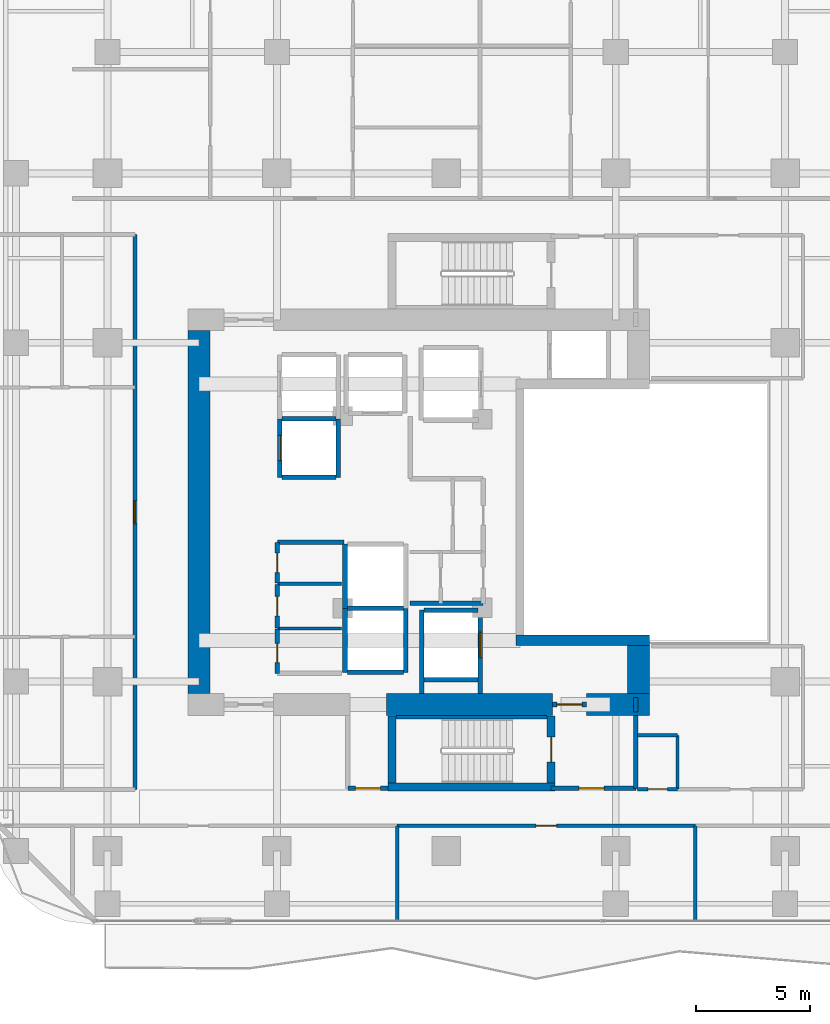
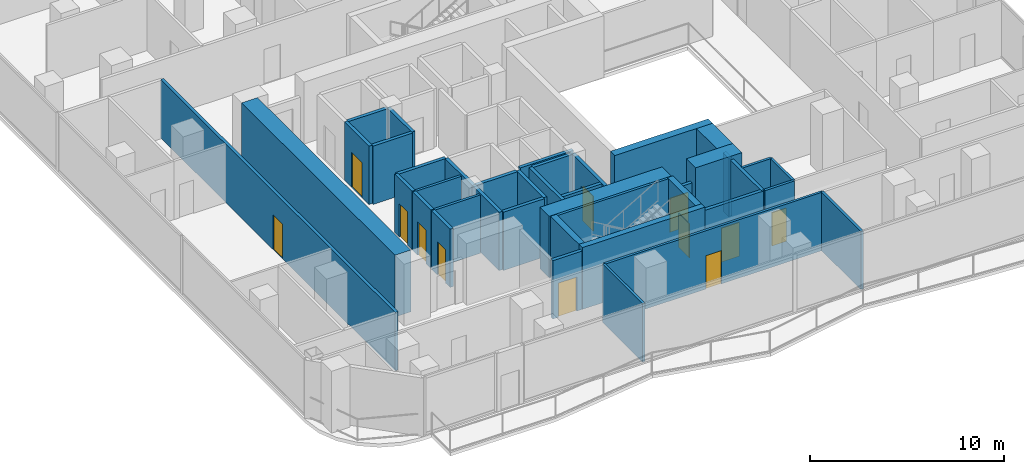
# One storey, part 20 of 27: 41 walls, 12 doors, 12 openings.
"""IFC4 building model written with IfcOpenShell, lengths in metres."""

from ifc_helpers import new_model, si_unit, direction, frame, frame_2d, origin, place, context, subcontext, project, spatial, rectangle, extrude, material, layer, layer_set, type_object, element, fill, save


model = new_model("IFC4")

# Units and contexts
model_context = context("Model", 3, precision=1e-05, world=origin(), true_north=direction((0.0, 1.0)))
body_context = subcontext(model_context, "Body", "Model", "MODEL_VIEW")
ifc_project = project(units=[si_unit("LENGTHUNIT", "METRE"), si_unit("AREAUNIT", "SQUARE_METRE"), si_unit("VOLUMEUNIT", "CUBIC_METRE"), si_unit("PLANEANGLEUNIT", "RADIAN"), si_unit("MASSUNIT", "GRAM", prefix="KILO")], contexts=[model_context])

# Site, building, storey
site_placement = place(None, origin())
site = spatial("IfcSite", under=ifc_project, at=site_placement, CompositionType="ELEMENT")
building_placement = place(site_placement, origin())
building = spatial("IfcBuilding", under=site, at=building_placement, Name="Khorvyn Point Tower", CompositionType="ELEMENT")
storey_placement = place(building_placement, frame((0.0, 0.0, 125.10009765625)))
storey = spatial("IfcBuildingStorey", under=building, at=storey_placement, Name="L31", CompositionType="ELEMENT", Elevation=125.10009765625)

# Wall, opening, door
ifc_material_1 = material(Name="Double acoustic gypsum on twin steel stud", Category="steel")
ifc_layer_1 = layer(ifc_material_1, 0.179931640625)
ifc_layer_set_1 = layer_set([ifc_layer_1], Name="Acoustic Double-Stud Apartment Demising Wall 180")
wall_type_1 = type_object("IfcWallType", Name="Acoustic Double-Stud Apartment Demising Wall 180", PredefinedType="PARTITIONING", material=ifc_layer_set_1)
wall_1_placement = place(storey_placement, frame((-13.60009765625, -12.1201171875, 0.0), z_axis=(0.0, 0.0, 1.0), x_axis=(0.0, 1.0, 0.0)))
wall_1 = element("IfcWall", 1, at=wall_1_placement, inside=storey, type_object=wall_type_1, Name="Wall", PredefinedType="PARTITIONING", context=body_context, shape_type="SweptSolid", body=[
    extrude(rectangle(XDim=24.240234375, YDim=0.179931640625, at=frame_2d((12.1201171875, 0.0))), origin(), (0.0, 0.0, 1.0), 3.679931640625),
])
opening_1_placement = place(wall_1_placement, frame((11.6201171875, 0.0, 0.0)))
opening_1 = element("IfcOpeningElement", 2, at=opening_1_placement, cuts=wall_1, Name="Opening ID-AP60", PredefinedType="OPENING", context=body_context, shape_type="SweptSolid", body=[
    extrude(rectangle(XDim=1.0, YDim=2.199951171875, at=frame_2d((0.5, 1.10009765625))), frame((0.0, 0.099853515625, 0.0), z_axis=(0.0, -1.0, 0.0), x_axis=(1.0, 0.0, 0.0)), (0.0, 0.0, 1.0), 0.199951171875),
])
ifc_material_2 = material(Name="Engineered hardwood fire-rated leaf", Category="wood")
door_type_1 = type_object("IfcDoorType", Name="Acoustic Solid-Core Timber Apartment Entrance Door 1000x2200", OperationType="NOTDEFINED", PredefinedType="DOOR", material=ifc_material_2)
door_1_placement = place(opening_1_placement, origin())
door_1 = element("IfcDoor", 3, at=door_1_placement, inside=storey, type_object=door_type_1, Name="Door", OperationType="SINGLE_SWING_RIGHT", OverallHeight=2.199951171875, OverallWidth=1.0, PredefinedType="DOOR", context=body_context, shape_type="SweptSolid", body=[
    extrude(rectangle(XDim=1.0, YDim=2.199951171875, at=frame_2d((0.5, 1.10009765625))), frame((0.0, 0.02490234375, 0.0), z_axis=(0.0, -1.0, 0.0), x_axis=(1.0, 0.0, 0.0)), (0.0, 0.0, 1.0), 0.050048828125),
])
fill(opening_1, door_1)

# Wall
ifc_material_3 = material(Name="Concrete C40/50", Category="concrete")
ifc_layer_2 = layer(ifc_material_3, 0.449951171875)
ifc_layer_set_2 = layer_set([ifc_layer_2], Name="Concrete C40/50 Core Shear Wall 450")
wall_type_2 = type_object("IfcWallType", Name="Concrete C40/50 Core Shear Wall 450", PredefinedType="SHEAR", material=ifc_layer_set_2)
wall_2_placement = place(storey_placement, frame((3.044921875, -5.60009765625, 0.0), z_axis=(0.0, 0.0, 1.0), x_axis=(1.0, 0.0, 0.0)))
element("IfcWall", 4, at=wall_2_placement, inside=storey, type_object=wall_type_2, Name="Wall", PredefinedType="SHEAR", context=body_context, shape_type="SweptSolid", body=[
    extrude(rectangle(XDim=5.830078125, YDim=0.449951171875, at=frame_2d((2.9150390625, 0.0))), origin(), (0.0, 0.0, 1.0), 3.89990234375),
])

# Wall, opening, door
ifc_layer_3 = layer(ifc_material_3, 0.199951171875)
ifc_layer_set_3 = layer_set([ifc_layer_3], Name="Concrete C40/50 Fire-Lobby Compartment Wall 200")
wall_type_3 = type_object("IfcWallType", Name="Concrete C40/50 Fire-Lobby Compartment Wall 200", PredefinedType="SOLIDWALL", material=ifc_layer_set_3)
wall_3_placement = place(storey_placement, frame((4.580078125, -12.06005859375, 0.0), z_axis=(0.0, 0.0, 1.0), x_axis=(1.0, 0.0, 0.0)))
wall_3 = element("IfcWall", 5, at=wall_3_placement, inside=storey, type_object=wall_type_3, Name="Wall", PredefinedType="SOLIDWALL", context=body_context, shape_type="SweptSolid", body=[
    extrude(rectangle(XDim=3.699951171875, YDim=0.199951171875, at=frame_2d((1.85009765625, 0.0))), origin(), (0.0, 0.0, 1.0), 3.679931640625),
])
opening_2_placement = place(wall_3_placement, frame((1.21240234375, 0.0, 0.0)))
opening_2 = element("IfcOpeningElement", 6, at=opening_2_placement, cuts=wall_3, Name="Opening ID-FL90", PredefinedType="OPENING", context=body_context, shape_type="SweptSolid", body=[
    extrude(rectangle(XDim=1.10009765625, YDim=2.14990234375, at=frame_2d((0.550048828125, 1.074951171875))), frame((0.0, 0.10986328125, 0.0), z_axis=(0.0, -1.0, 0.0), x_axis=(1.0, 0.0, 0.0)), (0.0, 0.0, 1.0), 0.219970703125),
])
ifc_material_4 = material(Name="Galvanised powder-coated steel", Category="steel")
door_type_2 = type_object("IfcDoorType", Name="Fire-Rated Steel Lobby and Stair Door 1100x2150", OperationType="NOTDEFINED", PredefinedType="DOOR", material=ifc_material_4)
door_2_placement = place(opening_2_placement, origin())
door_2 = element("IfcDoor", 7, at=door_2_placement, inside=storey, type_object=door_type_2, Name="Door", OperationType="SINGLE_SWING_LEFT", OverallHeight=2.14990234375, OverallWidth=1.10009765625, PredefinedType="DOOR", context=body_context, shape_type="SweptSolid", body=[
    extrude(rectangle(XDim=1.10009765625, YDim=2.14990234375, at=frame_2d((0.550048828125, 1.074951171875))), frame((0.0, 0.02490234375, 0.0), z_axis=(0.0, -1.0, 0.0), x_axis=(1.0, 0.0, 0.0)), (0.0, 0.0, 1.0), 0.050048828125),
])
fill(opening_2, door_2)

wall_4_placement = place(storey_placement, frame((4.64990234375, -8.39990234375, 0.0), z_axis=(0.0, 0.0, 1.0), x_axis=(1.0, 0.0, 0.0)))
wall_4 = element("IfcWall", 8, at=wall_4_placement, inside=storey, type_object=wall_type_3, Name="Wall", PredefinedType="SOLIDWALL", context=body_context, shape_type="SweptSolid", body=[
    extrude(rectangle(XDim=1.47021484375, YDim=0.199951171875, at=frame_2d((0.735107421875, 0.0))), origin(), (0.0, 0.0, 1.0), 2.719970703125),
])
opening_3_placement = place(wall_4_placement, frame((0.18505859375, 0.0, 0.0)))
opening_3 = element("IfcOpeningElement", 9, at=opening_3_placement, cuts=wall_4, Name="Opening ID-FL90", PredefinedType="OPENING", context=body_context, shape_type="SweptSolid", body=[
    extrude(rectangle(XDim=1.10009765625, YDim=2.14990234375, at=frame_2d((0.550048828125, 1.074951171875))), frame((0.0, 0.10986328125, 0.0), z_axis=(0.0, -1.0, 0.0), x_axis=(1.0, 0.0, 0.0)), (0.0, 0.0, 1.0), 0.219970703125),
])
door_3_placement = place(opening_3_placement, origin())
door_3 = element("IfcDoor", 10, at=door_3_placement, inside=storey, type_object=door_type_2, Name="Door", OperationType="SINGLE_SWING_RIGHT", OverallHeight=2.14990234375, OverallWidth=1.10009765625, PredefinedType="DOOR", context=body_context, shape_type="SweptSolid", body=[
    extrude(rectangle(XDim=1.10009765625, YDim=2.14990234375, at=frame_2d((0.550048828125, 1.074951171875))), frame((0.0, 0.02490234375, 0.0), z_axis=(0.0, -1.0, 0.0), x_axis=(1.0, 0.0, 0.0)), (0.0, 0.0, 1.0), 0.050048828125),
])
fill(opening_3, door_3)

wall_5_placement = place(storey_placement, frame((-4.300048828125, -12.06005859375, 0.0), z_axis=(0.0, 0.0, 1.0), x_axis=(1.0, 0.0, 0.0)))
wall_5 = element("IfcWall", 11, at=wall_5_placement, inside=storey, type_object=wall_type_3, Name="Wall", PredefinedType="SOLIDWALL", context=body_context, shape_type="SweptSolid", body=[
    extrude(rectangle(XDim=1.75, YDim=0.199951171875, at=frame_2d((0.875, 0.0))), origin(), (0.0, 0.0, 1.0), 3.679931640625),
])
opening_4_placement = place(wall_5_placement, frame((0.324951171875, 0.0, 0.0)))
opening_4 = element("IfcOpeningElement", 12, at=opening_4_placement, cuts=wall_5, Name="Opening ID-FL90", PredefinedType="OPENING", context=body_context, shape_type="SweptSolid", body=[
    extrude(rectangle(XDim=1.10009765625, YDim=2.14990234375, at=frame_2d((0.550048828125, 1.074951171875))), frame((0.0, 0.10986328125, 0.0), z_axis=(0.0, -1.0, 0.0), x_axis=(1.0, 0.0, 0.0)), (0.0, 0.0, 1.0), 0.219970703125),
])
door_4_placement = place(opening_4_placement, origin())
door_4 = element("IfcDoor", 13, at=door_4_placement, inside=storey, type_object=door_type_2, Name="Door", OperationType="SINGLE_SWING_RIGHT", OverallHeight=2.14990234375, OverallWidth=1.10009765625, PredefinedType="DOOR", context=body_context, shape_type="SweptSolid", body=[
    extrude(rectangle(XDim=1.10009765625, YDim=2.14990234375, at=frame_2d((0.550048828125, 1.074951171875))), frame((0.0, 0.02490234375, 0.0), z_axis=(0.0, -1.0, 0.0), x_axis=(1.0, 0.0, 0.0)), (0.0, 0.0, 1.0), 0.050048828125),
])
fill(opening_4, door_4)

wall_6_placement = place(storey_placement, frame((-7.3798828125, -7.0400390625, 0.0), z_axis=(0.0, 0.0, 1.0), x_axis=(0.0, 1.0, 0.0)))
wall_6 = element("IfcWall", 14, at=wall_6_placement, inside=storey, type_object=wall_type_3, Name="Wall", PredefinedType="SOLIDWALL", context=body_context, shape_type="SweptSolid", body=[
    extrude(rectangle(XDim=1.929931640625, YDim=0.199951171875, at=frame_2d((0.96484375, 0.0))), origin(), (0.0, 0.0, 1.0), 3.679931640625),
])
opening_5_placement = place(wall_6_placement, frame((0.464111328125, 0.0, 0.0)))
opening_5 = element("IfcOpeningElement", 15, at=opening_5_placement, cuts=wall_6, Name="Opening ID-WC85", PredefinedType="OPENING", context=body_context, shape_type="SweptSolid", body=[
    extrude(rectangle(XDim=0.85009765625, YDim=2.10009765625, at=frame_2d((0.425048828125, 1.050048828125))), frame((0.0, 0.10986328125, 0.0), z_axis=(0.0, -1.0, 0.0), x_axis=(1.0, 0.0, 0.0)), (0.0, 0.0, 1.0), 0.219970703125),
])
ifc_material_5 = material(Name="High-pressure laminate on moisture-resistant core", Category="wood")
door_type_3 = type_object("IfcDoorType", Name="Moisture-Resistant Accessible Washroom Door 850x2100", OperationType="NOTDEFINED", PredefinedType="DOOR", material=ifc_material_5)
door_5_placement = place(opening_5_placement, origin())
door_5 = element("IfcDoor", 16, at=door_5_placement, inside=storey, type_object=door_type_3, Name="Door", OperationType="SINGLE_SWING_LEFT", OverallHeight=2.10009765625, OverallWidth=0.85009765625, PredefinedType="DOOR", context=body_context, shape_type="SweptSolid", body=[
    extrude(rectangle(XDim=0.85009765625, YDim=2.10009765625, at=frame_2d((0.425048828125, 1.050048828125))), frame((0.0, 0.02490234375, 0.0), z_axis=(0.0, -1.0, 0.0), x_axis=(1.0, 0.0, 0.0)), (0.0, 0.0, 1.0), 0.050048828125),
])
fill(opening_5, door_5)

wall_7_placement = place(storey_placement, frame((-7.3798828125, -5.050048828125, 0.0), z_axis=(0.0, 0.0, 1.0), x_axis=(0.0, 1.0, 0.0)))
wall_7 = element("IfcWall", 17, at=wall_7_placement, inside=storey, type_object=wall_type_3, Name="Wall", PredefinedType="SOLIDWALL", context=body_context, shape_type="SweptSolid", body=[
    extrude(rectangle(XDim=1.89013671875, YDim=0.199951171875, at=frame_2d((0.945068359375, 0.0))), origin(), (0.0, 0.0, 1.0), 3.679931640625),
])
opening_6_placement = place(wall_7_placement, frame((0.52001953125, 0.0, 0.0)))
opening_6 = element("IfcOpeningElement", 18, at=opening_6_placement, cuts=wall_7, Name="Opening ID-WC85", PredefinedType="OPENING", context=body_context, shape_type="SweptSolid", body=[
    extrude(rectangle(XDim=0.85009765625, YDim=2.10009765625, at=frame_2d((0.425048828125, 1.050048828125))), frame((0.0, 0.10986328125, 0.0), z_axis=(0.0, -1.0, 0.0), x_axis=(1.0, 0.0, 0.0)), (0.0, 0.0, 1.0), 0.219970703125),
])
door_6_placement = place(opening_6_placement, origin())
door_6 = element("IfcDoor", 19, at=door_6_placement, inside=storey, type_object=door_type_3, Name="Door", OperationType="SINGLE_SWING_RIGHT", OverallHeight=2.10009765625, OverallWidth=0.85009765625, PredefinedType="DOOR", context=body_context, shape_type="SweptSolid", body=[
    extrude(rectangle(XDim=0.85009765625, YDim=2.10009765625, at=frame_2d((0.425048828125, 1.050048828125))), frame((0.0, 0.02490234375, 0.0), z_axis=(0.0, -1.0, 0.0), x_axis=(1.0, 0.0, 0.0)), (0.0, 0.0, 1.0), 0.050048828125),
])
fill(opening_6, door_6)

wall_8_placement = place(storey_placement, frame((-7.3798828125, -3.10009765625, 0.0), z_axis=(0.0, 0.0, 1.0), x_axis=(0.0, 1.0, 0.0)))
wall_8 = element("IfcWall", 20, at=wall_8_placement, inside=storey, type_object=wall_type_3, Name="Wall", PredefinedType="SOLIDWALL", context=body_context, shape_type="SweptSolid", body=[
    extrude(rectangle(XDim=1.780029296875, YDim=0.199951171875, at=frame_2d((0.89013671875, 0.0))), origin(), (0.0, 0.0, 1.0), 3.679931640625),
])
opening_7_placement = place(wall_8_placement, frame((0.465087890625, 0.0, 0.0)))
opening_7 = element("IfcOpeningElement", 21, at=opening_7_placement, cuts=wall_8, Name="Opening ID-WC85", PredefinedType="OPENING", context=body_context, shape_type="SweptSolid", body=[
    extrude(rectangle(XDim=0.85009765625, YDim=2.10009765625, at=frame_2d((0.425048828125, 1.050048828125))), frame((0.0, 0.10986328125, 0.0), z_axis=(0.0, -1.0, 0.0), x_axis=(1.0, 0.0, 0.0)), (0.0, 0.0, 1.0), 0.219970703125),
])
door_7_placement = place(opening_7_placement, origin())
door_7 = element("IfcDoor", 22, at=door_7_placement, inside=storey, type_object=door_type_3, Name="Door", OperationType="SINGLE_SWING_LEFT", OverallHeight=2.10009765625, OverallWidth=0.85009765625, PredefinedType="DOOR", context=body_context, shape_type="SweptSolid", body=[
    extrude(rectangle(XDim=0.85009765625, YDim=2.10009765625, at=frame_2d((0.425048828125, 1.050048828125))), frame((0.0, 0.02490234375, 0.0), z_axis=(0.0, -1.0, 0.0), x_axis=(1.0, 0.0, 0.0)), (0.0, 0.0, 1.0), 0.050048828125),
])
fill(opening_7, door_7)

# Walls
wall_9_placement = place(storey_placement, frame((8.280029296875, -12.06005859375, 0.0), z_axis=(0.0, 0.0, 1.0), x_axis=(0.0, 1.0, 0.0)))
element("IfcWall", 23, at=wall_9_placement, inside=storey, type_object=wall_type_3, Name="Wall", PredefinedType="SOLIDWALL", context=body_context, shape_type="SweptSolid", body=[
    extrude(rectangle(XDim=3.18505859375, YDim=0.199951171875, at=frame_2d((1.592529296875, 0.0))), origin(), (0.0, 0.0, 1.0), 3.679931640625),
])
wall_10_placement = place(storey_placement, frame((-7.3798828125, -1.320068359375, 0.0), z_axis=(0.0, 0.0, 1.0), x_axis=(1.0, 0.0, 0.0)))
element("IfcWall", 24, at=wall_10_placement, inside=storey, type_object=wall_type_3, Name="Wall", PredefinedType="SOLIDWALL", context=body_context, shape_type="SweptSolid", body=[
    extrude(rectangle(XDim=2.909912109375, YDim=0.199951171875, at=frame_2d((1.455078125, 0.0))), origin(), (0.0, 0.0, 1.0), 3.679931640625),
])
wall_11_placement = place(storey_placement, frame((-1.580078125, -3.97998046875, 0.0), z_axis=(0.0, 0.0, 1.0), x_axis=(1.0, 0.0, 0.0)))
element("IfcWall", 25, at=wall_11_placement, inside=storey, type_object=wall_type_3, Name="Wall", PredefinedType="SOLIDWALL", context=body_context, shape_type="SweptSolid", body=[
    extrude(rectangle(XDim=3.190185546875, YDim=0.199951171875, at=frame_2d((1.59521484375, 0.0))), origin(), (0.0, 0.0, 1.0), 3.679931640625),
])
wall_12_placement = place(storey_placement, frame((8.280029296875, -8.72509765625, 0.0), z_axis=(0.0, 0.0, 1.0), x_axis=(0.0, 1.0, 0.0)))
element("IfcWall", 26, at=wall_12_placement, inside=storey, type_object=wall_type_3, Name="Wall", PredefinedType="SOLIDWALL", context=body_context, shape_type="SweptSolid", body=[
    extrude(rectangle(XDim=0.625, YDim=0.199951171875, at=frame_2d((0.3125, 0.0))), origin(), (0.0, 0.0, 1.0), 3.679931640625),
])
ifc_layer_4 = layer(ifc_material_3, 0.25)
ifc_layer_set_4 = layer_set([ifc_layer_4], Name="Concrete C40/50 Stair Inner Cheek Structural Wall 250")
wall_type_4 = type_object("IfcWallType", Name="Concrete C40/50 Stair Inner Cheek Structural Wall 250", PredefinedType="SHEAR", material=ifc_layer_set_4)
wall_13_placement = place(storey_placement, frame((-2.199951171875, -8.949951171875, 0.0), z_axis=(0.0, 0.0, 1.0), x_axis=(1.0, 0.0, 0.0)))
element("IfcWall", 27, at=wall_13_placement, inside=storey, type_object=wall_type_4, Name="Wall", PredefinedType="SHEAR", context=body_context, shape_type="SweptSolid", body=[
    extrude(rectangle(XDim=6.599853515625, YDim=0.14990234375, at=frame_2d((3.2998046875, 0.0))), origin(), (0.0, 0.0, 1.0), 3.89990234375),
])
ifc_layer_5 = layer(ifc_material_3, 0.35009765625)
ifc_layer_set_5 = layer_set([ifc_layer_5], Name="Concrete C40/50 Stair Shaft Structural Wall 350")
wall_type_5 = type_object("IfcWallType", Name="Concrete C40/50 Stair Shaft Structural Wall 350", PredefinedType="SHEAR", material=ifc_layer_set_5)
wall_14_placement = place(storey_placement, frame((-2.554931640625, -12.0, 0.0), z_axis=(0.0, 0.0, 1.0), x_axis=(1.0, 0.0, 0.0)))
element("IfcWall", 28, at=wall_14_placement, inside=storey, type_object=wall_type_5, Name="L31 ST-01 South Shaft Wall", PredefinedType="SHEAR", context=body_context, shape_type="SweptSolid", body=[
    extrude(rectangle(XDim=7.309814453125, YDim=0.35009765625, at=frame_2d((3.65478515625, 0.0))), origin(), (0.0, 0.0, 1.0), 3.89990234375),
])
wall_15_placement = place(storey_placement, frame((-2.3798828125, -11.824951171875, 0.0), z_axis=(0.0, 0.0, 1.0), x_axis=(0.0, 1.0, 0.0)))
element("IfcWall", 29, at=wall_15_placement, inside=storey, type_object=wall_type_5, Name="L31 ST-01 West Shaft Wall", PredefinedType="SHEAR", context=body_context, shape_type="SweptSolid", body=[
    extrude(rectangle(XDim=2.925048828125, YDim=0.35009765625, at=frame_2d((1.46240234375, 0.0))), origin(), (0.0, 0.0, 1.0), 3.89990234375),
])

# Wall, opening, door
wall_16_placement = place(storey_placement, frame((4.580078125, -8.89990234375, 0.0), z_axis=(0.0, 0.0, 1.0), x_axis=(0.0, -1.0, 0.0)))
wall_16 = element("IfcWall", 30, at=wall_16_placement, inside=storey, type_object=wall_type_5, Name="L31 ST-01 East Landing Door Wall", PredefinedType="SHEAR", context=body_context, shape_type="SweptSolid", body=[
    extrude(rectangle(XDim=2.925048828125, YDim=0.35009765625, at=frame_2d((1.46240234375, 0.0))), origin(), (0.0, 0.0, 1.0), 3.89990234375),
])
opening_8_placement = place(wall_16_placement, frame((0.91259765625, 0.0, 0.0)))
opening_8 = element("IfcOpeningElement", 31, at=opening_8_placement, cuts=wall_16, Name="Opening ID-FL90", PredefinedType="OPENING", context=body_context, shape_type="SweptSolid", body=[
    extrude(rectangle(XDim=1.10009765625, YDim=2.14990234375, at=frame_2d((0.550048828125, 1.074951171875))), frame((0.0, 0.18505859375, 0.0), z_axis=(0.0, -1.0, 0.0), x_axis=(1.0, 0.0, 0.0)), (0.0, 0.0, 1.0), 0.3701171875),
])
door_8_placement = place(opening_8_placement, origin())
door_8 = element("IfcDoor", 32, at=door_8_placement, inside=storey, type_object=door_type_2, Name="L31 ST-01 Smokeproof Landing Door", OperationType="SINGLE_SWING_LEFT", OverallHeight=2.14990234375, OverallWidth=1.10009765625, PredefinedType="DOOR", context=body_context, shape_type="SweptSolid", body=[
    extrude(rectangle(XDim=1.10009765625, YDim=2.14990234375, at=frame_2d((0.550048828125, 1.074951171875))), frame((0.0, 0.02490234375, 0.0), z_axis=(0.0, -1.0, 0.0), x_axis=(1.0, 0.0, 0.0)), (0.0, 0.0, 1.0), 0.050048828125),
])
fill(opening_8, door_8)

ifc_layer_6 = layer(ifc_material_3, 0.199951171875)
ifc_layer_set_6 = layer_set([ifc_layer_6], Name="Concrete C40/50 Structural Hoistway and Stair Shaft Wall 200")
wall_type_6 = type_object("IfcWallType", Name="Concrete C40/50 Structural Hoistway and Stair Shaft Wall 200", PredefinedType="SHEAR", material=ifc_layer_set_6)
wall_17_placement = place(storey_placement, frame((-7.27490234375, 1.52490234375, 0.0), z_axis=(0.0, 0.0, 1.0), x_axis=(0.0, 1.0, 0.0)))
wall_17 = element("IfcWall", 33, at=wall_17_placement, inside=storey, type_object=wall_type_6, Name="Wall", PredefinedType="SHEAR", context=body_context, shape_type="SweptSolid", body=[
    extrude(rectangle(XDim=2.550048828125, YDim=0.199951171875, at=frame_2d((1.27490234375, 0.0))), origin(), (0.0, 0.0, 1.0), 3.679931640625),
])
opening_9_placement = place(wall_17_placement, frame((0.72509765625, 0.0, 0.0)))
opening_9 = element("IfcOpeningElement", 34, at=opening_9_placement, cuts=wall_17, Name="Opening LD-1122", PredefinedType="OPENING", context=body_context, shape_type="SweptSolid", body=[
    extrude(rectangle(XDim=1.10009765625, YDim=2.199951171875, at=frame_2d((0.550048828125, 1.10009765625))), frame((0.0, 0.10986328125, 0.0), z_axis=(0.0, -1.0, 0.0), x_axis=(1.0, 0.0, 0.0)), (0.0, 0.0, 1.0), 0.219970703125),
])
ifc_material_6 = material(Name="Stainless steel 1.4301", Category="steel")
door_type_4 = type_object("IfcDoorType", Name="Stainless Steel Automatic Sliding Lift Landing Door 1100x2200", OperationType="SLIDING_TO_LEFT", PredefinedType="DOOR", material=ifc_material_6)
door_9_placement = place(opening_9_placement, origin())
door_9 = element("IfcDoor", 35, at=door_9_placement, inside=storey, type_object=door_type_4, Name="L31 RM-01 Sliding Lift Landing Door", OperationType="SLIDING_TO_LEFT", OverallHeight=2.199951171875, OverallWidth=1.10009765625, PredefinedType="DOOR", context=body_context, shape_type="SweptSolid", body=[
    extrude(rectangle(XDim=1.10009765625, YDim=2.199951171875, at=frame_2d((0.550048828125, 1.10009765625))), frame((0.0, 0.02490234375, 0.0), z_axis=(0.0, -1.0, 0.0), x_axis=(1.0, 0.0, 0.0)), (0.0, 0.0, 1.0), 0.050048828125),
])
fill(opening_9, door_9)

# Walls
wall_18_placement = place(storey_placement, frame((-4.72509765625, 1.52490234375, 0.0), z_axis=(0.0, 0.0, 1.0), x_axis=(0.0, 1.0, 0.0)))
element("IfcWall", 36, at=wall_18_placement, inside=storey, type_object=wall_type_6, Name="Wall", PredefinedType="SHEAR", context=body_context, shape_type="SweptSolid", body=[
    extrude(rectangle(XDim=2.550048828125, YDim=0.199951171875, at=frame_2d((1.27490234375, 0.0))), origin(), (0.0, 0.0, 1.0), 3.679931640625),
])
for number, where, z_axis, x_axis, name in (
    (37, (-7.175048828125, 1.52490234375, 0.0), (0.0, 0.0, 1.0), (1.0, 0.0, 0.0), "Wall"),
    (38, (-7.175048828125, 4.074951171875, 0.0), (0.0, 0.0, 1.0), (1.0, 0.0, 0.0), "Wall"),
):
    element("IfcWall", number, at=place(storey_placement, frame(where, z_axis=z_axis, x_axis=x_axis)), inside=storey, type_object=wall_type_6, Name=name, PredefinedType="SHEAR", context=body_context, shape_type="SweptSolid", body=[
        extrude(rectangle(XDim=2.35009765625, YDim=0.199951171875, at=frame_2d((1.175048828125, 0.0))), origin(), (0.0, 0.0, 1.0), 3.679931640625),
    ])
for number, where, z_axis, x_axis, name in (
    (39, (-4.425048828125, -7.0, 0.0), (0.0, 0.0, 1.0), (0.0, 1.0, 0.0), "Wall"),
    (40, (-1.77490234375, -7.0, 0.0), (0.0, 0.0, 1.0), (0.0, 1.0, 0.0), "Wall"),
):
    element("IfcWall", number, at=place(storey_placement, frame(where, z_axis=z_axis, x_axis=x_axis)), inside=storey, type_object=wall_type_6, Name=name, PredefinedType="SHEAR", context=body_context, shape_type="SweptSolid", body=[
        extrude(rectangle(XDim=2.800048828125, YDim=0.199951171875, at=frame_2d((1.39990234375, 0.0))), origin(), (0.0, 0.0, 1.0), 3.679931640625),
    ])
for number, where, z_axis, x_axis, name in (
    (41, (-4.324951171875, -7.0, 0.0), (0.0, 0.0, 1.0), (1.0, 0.0, 0.0), "Wall"),
    (42, (-4.324951171875, -4.199951171875, 0.0), (0.0, 0.0, 1.0), (1.0, 0.0, 0.0), "Wall"),
):
    element("IfcWall", number, at=place(storey_placement, frame(where, z_axis=z_axis, x_axis=x_axis)), inside=storey, type_object=wall_type_6, Name=name, PredefinedType="SHEAR", context=body_context, shape_type="SweptSolid", body=[
        extrude(rectangle(XDim=2.449951171875, YDim=0.199951171875, at=frame_2d((1.22509765625, 0.0))), origin(), (0.0, 0.0, 1.0), 3.679931640625),
    ])
wall_19_placement = place(storey_placement, frame((-4.425048828125, -4.199951171875, 0.0), z_axis=(0.0, 0.0, 1.0), x_axis=(0.0, 1.0, 0.0)))
element("IfcWall", 43, at=wall_19_placement, inside=storey, type_object=wall_type_6, Name="Wall", PredefinedType="SHEAR", context=body_context, shape_type="SweptSolid", body=[
    extrude(rectangle(XDim=2.800048828125, YDim=0.199951171875, at=frame_2d((1.39990234375, 0.0))), origin(), (0.0, 0.0, 1.0), 3.679931640625),
])
wall_20_placement = place(storey_placement, frame((-1.074951171875, -7.925048828125, 0.0), z_axis=(0.0, 0.0, 1.0), x_axis=(0.0, 1.0, 0.0)))
element("IfcWall", 44, at=wall_20_placement, inside=storey, type_object=wall_type_6, Name="Wall", PredefinedType="SHEAR", context=body_context, shape_type="SweptSolid", body=[
    extrude(rectangle(XDim=3.650146484375, YDim=0.199951171875, at=frame_2d((1.8251953125, 0.0))), origin(), (0.0, 0.0, 1.0), 3.679931640625),
])

# Wall, opening, door
wall_21_placement = place(storey_placement, frame((1.47509765625, -7.925048828125, 0.0), z_axis=(0.0, 0.0, 1.0), x_axis=(0.0, 1.0, 0.0)))
wall_21 = element("IfcWall", 45, at=wall_21_placement, inside=storey, type_object=wall_type_6, Name="Wall", PredefinedType="SHEAR", context=body_context, shape_type="SweptSolid", body=[
    extrude(rectangle(XDim=3.650146484375, YDim=0.199951171875, at=frame_2d((1.8251953125, 0.0))), origin(), (0.0, 0.0, 1.0), 3.679931640625),
])
opening_10_placement = place(wall_21_placement, frame((1.574951171875, 0.0, 0.0)))
opening_10 = element("IfcOpeningElement", 46, at=opening_10_placement, cuts=wall_21, Name="Opening LD-1122", PredefinedType="OPENING", context=body_context, shape_type="SweptSolid", body=[
    extrude(rectangle(XDim=1.10009765625, YDim=2.199951171875, at=frame_2d((0.550048828125, 1.10009765625))), frame((0.0, 0.10986328125, 0.0), z_axis=(0.0, -1.0, 0.0), x_axis=(1.0, 0.0, 0.0)), (0.0, 0.0, 1.0), 0.219970703125),
])
door_10_placement = place(opening_10_placement, origin())
door_10 = element("IfcDoor", 47, at=door_10_placement, inside=storey, type_object=door_type_4, Name="L31 FF-01 Sliding Lift Landing Door", OperationType="SLIDING_TO_LEFT", OverallHeight=2.199951171875, OverallWidth=1.10009765625, PredefinedType="DOOR", context=body_context, shape_type="SweptSolid", body=[
    extrude(rectangle(XDim=1.10009765625, YDim=2.199951171875, at=frame_2d((0.550048828125, 1.10009765625))), frame((0.0, 0.02490234375, 0.0), z_axis=(0.0, -1.0, 0.0), x_axis=(1.0, 0.0, 0.0)), (0.0, 0.0, 1.0), 0.050048828125),
])
fill(opening_10, door_10)

# Walls
for number, where, z_axis, x_axis, name in (
    (48, (-0.97509765625, -7.324951171875, 0.0), (0.0, 0.0, 1.0), (1.0, 0.0, 0.0), "Wall"),
    (49, (-0.97509765625, -4.27490234375, 0.0), (0.0, 0.0, 1.0), (1.0, 0.0, 0.0), "Wall"),
):
    element("IfcWall", number, at=place(storey_placement, frame(where, z_axis=z_axis, x_axis=x_axis)), inside=storey, type_object=wall_type_6, Name=name, PredefinedType="SHEAR", context=body_context, shape_type="SweptSolid", body=[
        extrude(rectangle(XDim=2.35009765625, YDim=0.199951171875, at=frame_2d((1.175048828125, 0.0))), origin(), (0.0, 0.0, 1.0), 3.679931640625),
    ])
ifc_material_7 = material(Name="Concrete C50/60", Category="concrete")
ifc_layer_7 = layer(ifc_material_7, 0.949951171875)
ifc_layer_set_7 = layer_set([ifc_layer_7], Name="Concrete C50/60 Core Shear Wall 950")
wall_type_7 = type_object("IfcWallType", Name="Concrete C50/60 Core Shear Wall 950", PredefinedType="SHEAR", material=ifc_layer_set_7)
wall_22_placement = place(storey_placement, frame((-2.6201171875, -8.39990234375, 0.0), z_axis=(0.0, 0.0, 1.0), x_axis=(1.0, 0.0, 0.0)))
element("IfcWall", 50, at=wall_22_placement, inside=storey, type_object=wall_type_7, Name="Wall", PredefinedType="SHEAR", context=body_context, shape_type="SweptSolid", body=[
    extrude(rectangle(XDim=7.27001953125, YDim=0.949951171875, at=frame_2d((3.635009765625, 0.0))), origin(), (0.0, 0.0, 1.0), 3.89990234375),
])
wall_23_placement = place(storey_placement, frame((6.1201171875, -8.39990234375, 0.0), z_axis=(0.0, 0.0, 1.0), x_axis=(1.0, 0.0, 0.0)))
element("IfcWall", 51, at=wall_23_placement, inside=storey, type_object=wall_type_7, Name="Wall", PredefinedType="SHEAR", context=body_context, shape_type="SweptSolid", body=[
    extrude(rectangle(XDim=2.7548828125, YDim=0.949951171875, at=frame_2d((1.37744140625, 0.0))), origin(), (0.0, 0.0, 1.0), 3.89990234375),
])
wall_24_placement = place(storey_placement, frame((-10.800048828125, -7.925048828125, 0.0), z_axis=(0.0, 0.0, 1.0), x_axis=(0.0, 1.0, 0.0)))
element("IfcWall", 52, at=wall_24_placement, inside=storey, type_object=wall_type_7, Name="Wall", PredefinedType="SHEAR", context=body_context, shape_type="SweptSolid", body=[
    extrude(rectangle(XDim=15.85009765625, YDim=0.949951171875, at=frame_2d((7.925048828125, 0.0))), origin(), (0.0, 0.0, 1.0), 3.89990234375),
])
wall_25_placement = place(storey_placement, frame((8.39990234375, -7.925048828125, 0.0), z_axis=(0.0, 0.0, 1.0), x_axis=(0.0, 1.0, 0.0)))
element("IfcWall", 53, at=wall_25_placement, inside=storey, type_object=wall_type_7, Name="Wall", PredefinedType="SHEAR", context=body_context, shape_type="SweptSolid", body=[
    extrude(rectangle(XDim=2.10009765625, YDim=0.949951171875, at=frame_2d((1.050048828125, 0.0))), origin(), (0.0, 0.0, 1.0), 3.89990234375),
])

# Wall, opening, door
ifc_material_8 = material(Name="Moisture-resistant gypsum and cement board", Category="gypsum")
ifc_layer_8 = layer(ifc_material_8, 0.14990234375)
ifc_layer_set_8 = layer_set([ifc_layer_8], Name="Moisture-Resistant Wet-Room Partition Wall 150")
wall_type_8 = type_object("IfcWallType", Name="Moisture-Resistant Wet-Room Partition Wall 150", PredefinedType="PARTITIONING", material=ifc_layer_set_8)
wall_26_placement = place(storey_placement, frame((8.360107421875, -12.10009765625, 0.0), z_axis=(0.0, 0.0, 1.0), x_axis=(1.0, 0.0, 0.0)))
wall_26 = element("IfcWall", 54, at=wall_26_placement, inside=storey, type_object=wall_type_8, Name="Wall", PredefinedType="PARTITIONING", context=body_context, shape_type="SweptSolid", body=[
    extrude(rectangle(XDim=1.739990234375, YDim=0.14990234375, at=frame_2d((0.8701171875, 0.0))), origin(), (0.0, 0.0, 1.0), 3.679931640625),
])
opening_11_placement = place(wall_26_placement, frame((0.445068359375, 0.0, 0.0)))
opening_11 = element("IfcOpeningElement", 55, at=opening_11_placement, cuts=wall_26, Name="Opening ID-WC85", PredefinedType="OPENING", context=body_context, shape_type="SweptSolid", body=[
    extrude(rectangle(XDim=0.85009765625, YDim=2.10009765625, at=frame_2d((0.425048828125, 1.050048828125))), frame((0.0, 0.0849609375, 0.0), z_axis=(0.0, -1.0, 0.0), x_axis=(1.0, 0.0, 0.0)), (0.0, 0.0, 1.0), 0.169921875),
])
door_11_placement = place(opening_11_placement, origin())
door_11 = element("IfcDoor", 56, at=door_11_placement, inside=storey, type_object=door_type_3, Name="Door", OperationType="SINGLE_SWING_RIGHT", OverallHeight=2.10009765625, OverallWidth=0.85009765625, PredefinedType="DOOR", context=body_context, shape_type="SweptSolid", body=[
    extrude(rectangle(XDim=0.85009765625, YDim=2.10009765625, at=frame_2d((0.425048828125, 1.050048828125))), frame((0.0, 0.02490234375, 0.0), z_axis=(0.0, -1.0, 0.0), x_axis=(1.0, 0.0, 0.0)), (0.0, 0.0, 1.0), 0.050048828125),
])
fill(opening_11, door_11)

wall_27_placement = place(storey_placement, frame((-2.14990234375, -13.699951171875, 0.0), z_axis=(0.0, 0.0, 1.0), x_axis=(1.0, 0.0, 0.0)))
wall_27 = element("IfcWall", 57, at=wall_27_placement, inside=storey, type_object=wall_type_8, Name="Wall", PredefinedType="PARTITIONING", context=body_context, shape_type="SweptSolid", body=[
    extrude(rectangle(XDim=13.031005859375, YDim=0.14990234375, at=frame_2d((6.515625, 0.0))), origin(), (0.0, 0.0, 1.0), 3.679931640625),
])
opening_12_placement = place(wall_27_placement, frame((6.0654296875, 0.0, 0.0)))
opening_12 = element("IfcOpeningElement", 58, at=opening_12_placement, cuts=wall_27, Name="Opening ID-RM90", PredefinedType="OPENING", context=body_context, shape_type="SweptSolid", body=[
    extrude(rectangle(XDim=0.89990234375, YDim=2.10009765625, at=frame_2d((0.449951171875, 1.050048828125))), frame((0.0, 0.0849609375, 0.0), z_axis=(0.0, -1.0, 0.0), x_axis=(1.0, 0.0, 0.0)), (0.0, 0.0, 1.0), 0.169921875),
])
ifc_material_9 = material(Name="Engineered oak veneer timber", Category="wood")
door_type_5 = type_object("IfcDoorType", Name="Flush Engineered Timber Room Door 900x2100", OperationType="NOTDEFINED", PredefinedType="DOOR", material=ifc_material_9)
door_12_placement = place(opening_12_placement, origin())
door_12 = element("IfcDoor", 59, at=door_12_placement, inside=storey, type_object=door_type_5, Name="Door", OperationType="SINGLE_SWING_RIGHT", OverallHeight=2.10009765625, OverallWidth=0.89990234375, PredefinedType="DOOR", context=body_context, shape_type="SweptSolid", body=[
    extrude(rectangle(XDim=0.89990234375, YDim=2.10009765625, at=frame_2d((0.449951171875, 1.050048828125))), frame((0.0, 0.02490234375, 0.0), z_axis=(0.0, -1.0, 0.0), x_axis=(1.0, 0.0, 0.0)), (0.0, 0.0, 1.0), 0.050048828125),
])
fill(opening_12, door_12)

# Walls
for number, where, z_axis, x_axis, name in (
    (60, (-7.3798828125, -5.080078125, 0.0), (0.0, 0.0, 1.0), (1.0, 0.0, 0.0), "Wall"),
    (61, (-7.3798828125, -3.1298828125, 0.0), (0.0, 0.0, 1.0), (1.0, 0.0, 0.0), "Wall"),
):
    element("IfcWall", number, at=place(storey_placement, frame(where, z_axis=z_axis, x_axis=x_axis)), inside=storey, type_object=wall_type_8, Name=name, PredefinedType="PARTITIONING", context=body_context, shape_type="SweptSolid", body=[
        extrude(rectangle(XDim=2.7998046875, YDim=0.14990234375, at=frame_2d((1.39990234375, 0.0))), origin(), (0.0, 0.0, 1.0), 3.679931640625),
    ])
wall_28_placement = place(storey_placement, frame((8.360107421875, -9.75, 0.0), z_axis=(0.0, 0.0, 1.0), x_axis=(1.0, 0.0, 0.0)))
element("IfcWall", 62, at=wall_28_placement, inside=storey, type_object=wall_type_8, Name="Wall", PredefinedType="PARTITIONING", context=body_context, shape_type="SweptSolid", body=[
    extrude(rectangle(XDim=1.739990234375, YDim=0.14990234375, at=frame_2d((0.8701171875, 0.0))), origin(), (0.0, 0.0, 1.0), 3.679931640625),
])
wall_29_placement = place(storey_placement, frame((10.10009765625, -12.10009765625, 0.0), z_axis=(0.0, 0.0, 1.0), x_axis=(0.0, 1.0, 0.0)))
element("IfcWall", 63, at=wall_29_placement, inside=storey, type_object=wall_type_8, Name="Wall", PredefinedType="PARTITIONING", context=body_context, shape_type="SweptSolid", body=[
    extrude(rectangle(XDim=2.35009765625, YDim=0.14990234375, at=frame_2d((1.175048828125, 0.0))), origin(), (0.0, 0.0, 1.0), 3.679931640625),
])
for number, where, z_axis, x_axis, name in (
    (64, (-2.14990234375, -17.830078125, 0.0), (0.0, 0.0, 1.0), (0.0, 1.0, 0.0), "Wall"),
    (65, (10.881103515625, -17.830078125, 0.0), (0.0, 0.0, 1.0), (0.0, 1.0, 0.0), "Wall"),
):
    element("IfcWall", number, at=place(storey_placement, frame(where, z_axis=z_axis, x_axis=x_axis)), inside=storey, type_object=wall_type_8, Name=name, PredefinedType="PARTITIONING", context=body_context, shape_type="SweptSolid", body=[
        extrude(rectangle(XDim=4.130126953125, YDim=0.14990234375, at=frame_2d((2.06494140625, 0.0))), origin(), (0.0, 0.0, 1.0), 3.679931640625),
    ])

save(model, "model.ifc")
